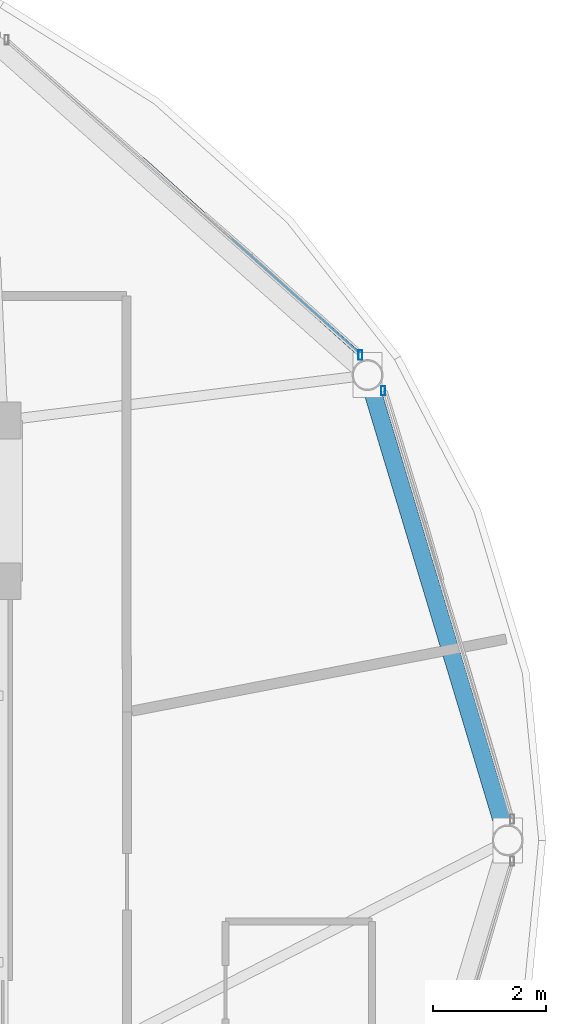
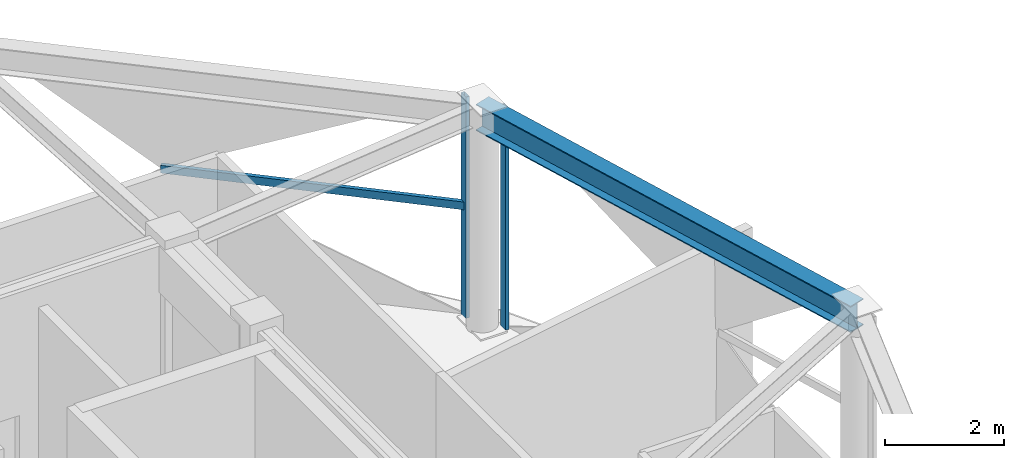
# One storey, part 13 of 22: 3 members, 1 beam, 2 elements without a shape of their own.
"""IFC4 building model written with IfcOpenShell, lengths in metres."""

from ifc_helpers import new_model, si_unit, direction, frame, origin, origin_2d, place, context, subcontext, project, spatial, hollow_rectangle, i_section, extrude, material, layer, layer_set, material_profile, profile_set, type_object, element, aggregate, save


model = new_model("IFC4")

# Units and contexts
model_context = context("Model", 3, precision=1e-05, world=origin(), true_north=direction((0.0, 1.0)))
body_context = subcontext(model_context, "Body", "Model", "MODEL_VIEW")
ifc_project = project(units=[si_unit("LENGTHUNIT", "METRE"), si_unit("AREAUNIT", "SQUARE_METRE"), si_unit("VOLUMEUNIT", "CUBIC_METRE"), si_unit("PLANEANGLEUNIT", "RADIAN"), si_unit("MASSUNIT", "GRAM", prefix="KILO")], contexts=[model_context])

# Site, building, storey
site_placement = place(None, origin())
site = spatial("IfcSite", under=ifc_project, at=site_placement, CompositionType="ELEMENT")
building_placement = place(site_placement, origin())
building = spatial("IfcBuilding", under=site, at=building_placement, Name="Vantalir Tower", CompositionType="ELEMENT")
storey_placement = place(building_placement, frame((0.0, 0.0, 294.89990234375)))
storey = spatial("IfcBuildingStorey", under=building, at=storey_placement, Name="L74", CompositionType="ELEMENT", Elevation=294.89990234375)

# Beam
ifc_material_1 = material(Name="Steel S460", Category="steel")
ifc_material_profile_1 = material_profile(ifc_material_1, i_section(OverallWidth=0.31201171875, OverallDepth=0.5419921875, WebThickness=0.0126953125, FlangeThickness=0.020263671875, at=origin_2d()), Name="Steel S460")
ifc_profile_set_1 = profile_set([ifc_material_profile_1], Name="Steel S460")
beam_type = type_object("IfcBeamType", Name="BM-RG-533x312", PredefinedType="USERDEFINED", material=ifc_profile_set_1)
beam_placement = place(storey_placement, frame((50.06005859375, 25.0, 4.34912109375), z_axis=(-0.288436105836, 0.957499145091, 0.0), x_axis=(-0.957499145091, -0.288436105836, 0.0)))
element("IfcBeam", 1, at=beam_placement, inside=storey, type_object=beam_type, Name="L74 Circumferential Ring Girder 01", ObjectType="GIRDER", PredefinedType="USERDEFINED", context=body_context, shape_type="SweptSolid", body=[
    extrude(i_section(OverallWidth=0.31201171875, OverallDepth=0.5419921875, WebThickness=0.0126953125, FlangeThickness=0.020263671875, at=origin_2d()), origin(), (0.0, 0.0, 1.0), 8.62255859375),
])

# Curtain wall, member
ifc_material_2 = material(Name="Champagne-silver PVDF aluminium and double-silver Low-E glass", Category="aluminium")
ifc_layer = layer(ifc_material_2, 0.219970703125)
ifc_layer_set = layer_set([ifc_layer], Name="Champagne-silver PVDF aluminium and double-silver Low-E glass")
curtain_wall_type = type_object("IfcCurtainWallType", Name="CW-DIAMOND-Z4", PredefinedType="USERDEFINED", material=ifc_layer_set)
curtain_wall_1_placement = place(storey_placement, origin())
curtain_wall_1 = element("IfcCurtainWall", 2, at=curtain_wall_1_placement, inside=storey, type_object=curtain_wall_type, Name="L74 Quilted Pyramid-Diamond Curtain Wall S01", ObjectType="UNITISED CURTAIN WALL", PredefinedType="USERDEFINED")
ifc_material_3 = material(Name="Champagne-silver PVDF aluminium 6063-T6", Category="aluminium")
ifc_material_profile_2 = material_profile(ifc_material_3, hollow_rectangle(XDim=0.070068359375, YDim=0.1650390625, WallThickness=0.00390625, at=origin_2d()), Name="Champagne-silver PVDF aluminium 6063-T6")
ifc_profile_set_2 = profile_set([ifc_material_profile_2], Name="Champagne-silver PVDF aluminium 6063-T6")
member_type_1 = type_object("IfcMemberType", Name="CWM-165x70", PredefinedType="MULLION", material=ifc_profile_set_2)
member_1_placement = place(storey_placement, frame((47.85009765625, 32.97802734375, 0.045166015625), z_axis=(0.0, 0.0, 1.0), x_axis=(1.0, 0.0, 0.0)))
member_1 = element("IfcMember", 3, at=member_1_placement, type_object=member_type_1, Name="CW-L74-S01 Mullion 2", PredefinedType="MULLION", context=body_context, shape_type="SweptSolid", body=[
    extrude(hollow_rectangle(XDim=0.070068359375, YDim=0.1650390625, WallThickness=0.00390625, at=origin_2d()), origin(), (0.0, 0.0, 1.0), 4.530029296875),
])
aggregate(curtain_wall_1, [member_1])

# Curtain wall, members
curtain_wall_2_placement = place(storey_placement, origin())
curtain_wall_2 = element("IfcCurtainWall", 4, at=curtain_wall_2_placement, inside=storey, type_object=curtain_wall_type, Name="L74 Quilted Pyramid-Diamond Curtain Wall S02", ObjectType="UNITISED CURTAIN WALL", PredefinedType="USERDEFINED")
member_2_placement = place(storey_placement, frame((47.447021484375, 33.610107421875, 0.045166015625), z_axis=(0.0, 0.0, 1.0), x_axis=(1.0, 0.0, 0.0)))
member_2 = element("IfcMember", 5, at=member_2_placement, type_object=member_type_1, Name="CW-L74-S02 Mullion 1", PredefinedType="MULLION", context=body_context, shape_type="SweptSolid", body=[
    extrude(hollow_rectangle(XDim=0.070068359375, YDim=0.1650390625, WallThickness=0.00390625, at=origin_2d()), origin(), (0.0, 0.0, 1.0), 4.530029296875),
])
ifc_material_profile_3 = material_profile(ifc_material_3, hollow_rectangle(XDim=0.074951171875, YDim=0.159912109375, WallThickness=0.00390625, at=origin_2d()), Name="Champagne-silver PVDF aluminium 6063-T6")
ifc_profile_set_3 = profile_set([ifc_material_profile_3], Name="Champagne-silver PVDF aluminium 6063-T6")
member_type_2 = type_object("IfcMemberType", Name="CWT-160x75", PredefinedType="USERDEFINED", material=ifc_profile_set_3)
member_3_placement = place(storey_placement, frame((47.447021484375, 33.610107421875, 2.31005859375), z_axis=(-0.7436200392, 0.668602450863, 0.0), x_axis=(-0.668602450863, -0.7436200392, 0.0)))
member_3 = element("IfcMember", 6, at=member_3_placement, type_object=member_type_2, Name="CW-L74-S02 Pyramid Fold Ridge Transom", ObjectType="TRANSOM", PredefinedType="USERDEFINED", context=body_context, shape_type="SweptSolid", body=[
    extrude(hollow_rectangle(XDim=0.074951171875, YDim=0.159912109375, WallThickness=0.00390625, at=origin_2d()), origin(), (0.0, 0.0, 1.0), 5.213623046875),
])
aggregate(curtain_wall_2, [member_2, member_3])

save(model, "model.ifc")
